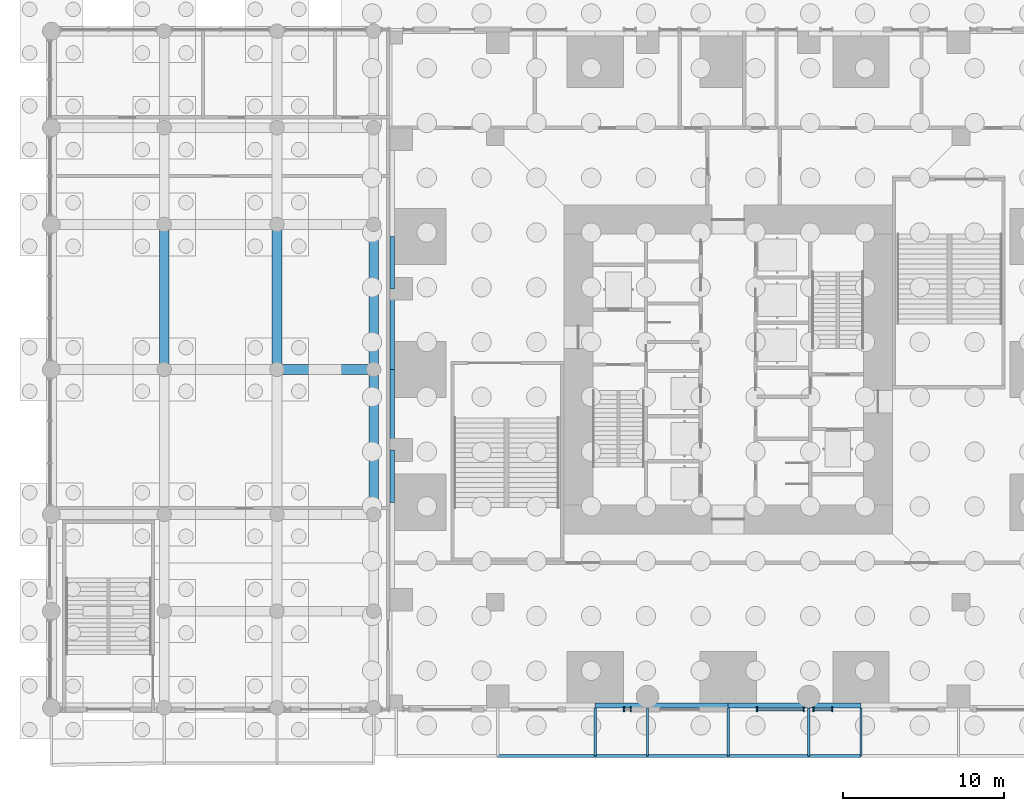
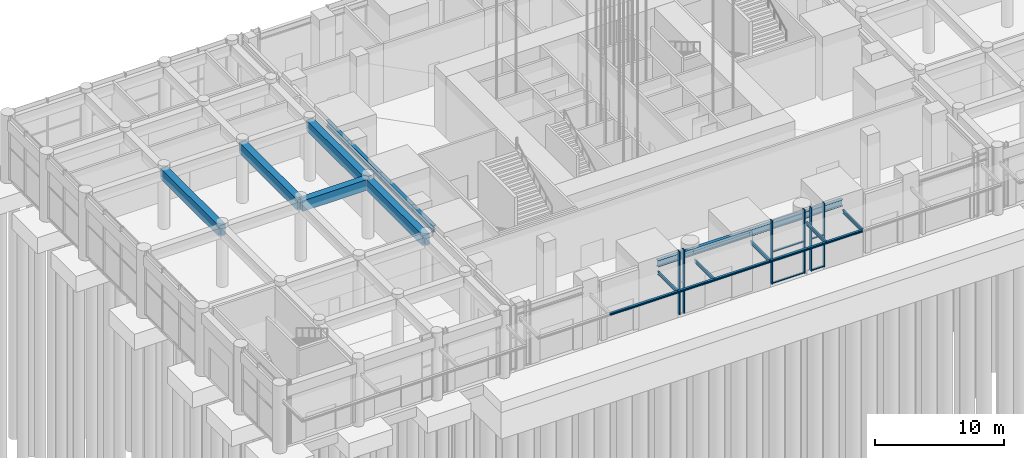
# One storey, part 5 of 46: 23 beams, 10 members, 3 elements without a shape of their own.
"""IFC4 building model written with IfcOpenShell, lengths in metres."""

from ifc_helpers import new_model, si_unit, direction, frame, origin, origin_2d, place, context, subcontext, project, spatial, rectangle, i_section, extrude, material, material_profile, profile_set, type_object, element, aggregate, save


model = new_model("IFC4")

# Units and contexts
model_context = context("Model", 3, precision=1e-05, world=origin(), true_north=direction((0.0, 1.0)))
body_context = subcontext(model_context, "Body", "Model", "MODEL_VIEW")
ifc_project = project(units=[si_unit("LENGTHUNIT", "METRE"), si_unit("AREAUNIT", "SQUARE_METRE"), si_unit("VOLUMEUNIT", "CUBIC_METRE"), si_unit("PLANEANGLEUNIT", "RADIAN"), si_unit("MASSUNIT", "GRAM", prefix="KILO")], contexts=[model_context])

# Site, building, storey
site_placement = place(None, origin())
site = spatial("IfcSite", under=ifc_project, at=site_placement, CompositionType="ELEMENT")
building_placement = place(site_placement, origin())
building = spatial("IfcBuilding", under=site, at=building_placement, Name="Svetlomir Tower", CompositionType="ELEMENT")
storey_placement = place(building_placement, origin())
storey = spatial("IfcBuildingStorey", under=building, at=storey_placement, Name="L00", CompositionType="ELEMENT", Elevation=0.0)

# Beams
ifc_material_1 = material(Name="Steel S355", Category="steel")
ifc_material_profile_1 = material_profile(ifc_material_1, i_section(OverallWidth=0.14990234375, OverallDepth=0.300048828125, WebThickness=0.007080078125, FlangeThickness=0.0107421875, FilletRadius=0.014892578125, at=origin_2d()), Name="IPE 300")
ifc_profile_set_1 = profile_set([ifc_material_profile_1], Name="Steel S355")
beam_type_1 = type_object("IfcBeamType", Name="CANOPY CANTILEVER IPE 300", PredefinedType="BEAM", material=ifc_profile_set_1)
for number, where, z_axis, x_axis, name in (
    (1, (12.75, 0.0, 4.5), (0.0, -1.0, 0.0), (1.0, 0.0, 0.0), "Canopy cantilever 11"),
    (2, (16.0, 0.0, 4.5), (0.0, -1.0, 0.0), (1.0, 0.0, 0.0), "Canopy cantilever 16"),
    (3, (21.0, 0.0, 4.5), (0.0, -1.0, 0.0), (1.0, 0.0, 0.0), "Canopy cantilever 21"),
    (4, (26.0, 0.0, 4.5), (0.0, -1.0, 0.0), (1.0, 0.0, 0.0), "Canopy cantilever 26"),
    (5, (29.25, 0.0, 4.5), (0.0, -1.0, 0.0), (1.0, 0.0, 0.0), "Canopy cantilever 31"),
):
    element("IfcBeam", number, at=place(storey_placement, frame(where, z_axis=z_axis, x_axis=x_axis)), inside=storey, type_object=beam_type_1, Name=name, PredefinedType="BEAM", context=body_context, shape_type="SweptSolid", body=[
        extrude(i_section(OverallWidth=0.14990234375, OverallDepth=0.300048828125, WebThickness=0.007080078125, FlangeThickness=0.0107421875, FilletRadius=0.014892578125, at=origin_2d()), origin(), (0.0, 0.0, 1.0), 3.0),
    ])
ifc_material_2 = material(Name="Steel S355", Category="steel")
ifc_material_profile_2 = material_profile(ifc_material_2, i_section(OverallWidth=0.199951171875, OverallDepth=0.18994140625, WebThickness=0.006591796875, FlangeThickness=0.010009765625, FilletRadius=0.01806640625, at=origin_2d()), Name="HEA 200")
ifc_profile_set_2 = profile_set([ifc_material_profile_2], Name="Steel S355")
beam_type_2 = type_object("IfcBeamType", Name="CANOPY EDGE BEAM HEA 200", PredefinedType="BEAM", material=ifc_profile_set_2)
beam_1_placement = place(storey_placement, frame((6.699951171875, -3.0, 4.5), z_axis=(1.0, 0.0, 0.0), x_axis=(0.0, 1.0, 0.0)))
element("IfcBeam", 6, at=beam_1_placement, inside=storey, type_object=beam_type_2, Name="Canopy edge beam 6.7 to 12.75", PredefinedType="BEAM", context=body_context, shape_type="SweptSolid", body=[
    extrude(i_section(OverallWidth=0.199951171875, OverallDepth=0.18994140625, WebThickness=0.006591796875, FlangeThickness=0.010009765625, FilletRadius=0.01806640625, at=origin_2d()), origin(), (0.0, 0.0, 1.0), 6.050048828125),
])
beam_2_placement = place(storey_placement, frame((12.75, -3.0, 4.5), z_axis=(1.0, 0.0, 0.0), x_axis=(0.0, 1.0, 0.0)))
element("IfcBeam", 7, at=beam_2_placement, inside=storey, type_object=beam_type_2, Name="Canopy edge beam 12.75 to 16", PredefinedType="BEAM", context=body_context, shape_type="SweptSolid", body=[
    extrude(i_section(OverallWidth=0.199951171875, OverallDepth=0.18994140625, WebThickness=0.006591796875, FlangeThickness=0.010009765625, FilletRadius=0.01806640625, at=origin_2d()), origin(), (0.0, 0.0, 1.0), 3.25),
])
for number, where, z_axis, x_axis, name in (
    (8, (16.0, -3.0, 4.5), (1.0, 0.0, 0.0), (0.0, 1.0, 0.0), "Canopy edge beam 16 to 21"),
    (9, (21.0, -3.0, 4.5), (1.0, 0.0, 0.0), (0.0, 1.0, 0.0), "Canopy edge beam 21 to 26"),
):
    element("IfcBeam", number, at=place(storey_placement, frame(where, z_axis=z_axis, x_axis=x_axis)), inside=storey, type_object=beam_type_2, Name=name, PredefinedType="BEAM", context=body_context, shape_type="SweptSolid", body=[
        extrude(i_section(OverallWidth=0.199951171875, OverallDepth=0.18994140625, WebThickness=0.006591796875, FlangeThickness=0.010009765625, FilletRadius=0.01806640625, at=origin_2d()), origin(), (0.0, 0.0, 1.0), 5.0),
    ])
beam_3_placement = place(storey_placement, frame((26.0, -3.0, 4.5), z_axis=(1.0, 0.0, 0.0), x_axis=(0.0, 1.0, 0.0)))
element("IfcBeam", 10, at=beam_3_placement, inside=storey, type_object=beam_type_2, Name="Canopy edge beam 26 to 29.25", PredefinedType="BEAM", context=body_context, shape_type="SweptSolid", body=[
    extrude(i_section(OverallWidth=0.199951171875, OverallDepth=0.18994140625, WebThickness=0.006591796875, FlangeThickness=0.010009765625, FilletRadius=0.01806640625, at=origin_2d()), origin(), (0.0, 0.0, 1.0), 3.25),
])

# Curtain wall, members
ifc_material_3 = material(Name="Bronze anodised aluminium curtain wall", Category="aluminium")
curtain_wall_type = type_object("IfcCurtainWallType", Name="CURTAIN WALL CW5 PODIUM", PredefinedType="NOTDEFINED", material=ifc_material_3)
curtain_wall_1_placement = place(storey_placement, origin())
curtain_wall_1 = element("IfcCurtainWall", 11, at=curtain_wall_1_placement, inside=storey, type_object=curtain_wall_type, Name="Curtain wall CW5 L00", PredefinedType="NOTDEFINED")
ifc_material_4 = material(Name="Bronze anodised aluminium", Category="aluminium")
ifc_material_profile_3 = material_profile(ifc_material_4, rectangle(XDim=0.080078125, YDim=0.300048828125, at=origin_2d()), Name="AL 80x300")
ifc_profile_set_3 = profile_set([ifc_material_profile_3], Name="Bronze anodised aluminium 6063-T6")
member_type_1 = type_object("IfcMemberType", Name="CW5 MULLION 80x300", PredefinedType="MULLION", material=ifc_profile_set_3)
member_1_placement = place(storey_placement, frame((14.5400390625, -0.10009765625, 0.0), z_axis=(0.0, 0.0, 1.0), x_axis=(1.0, 0.0, 0.0)))
member_1 = element("IfcMember", 12, at=member_1_placement, type_object=member_type_1, Name="CW5 mullion 1", PredefinedType="MULLION", context=body_context, shape_type="SweptSolid", body=[
    extrude(rectangle(XDim=0.080078125, YDim=0.300048828125, at=origin_2d()), origin(), (0.0, 0.0, 1.0), 6.0),
])
member_2_placement = place(storey_placement, frame((14.9599609375, -0.10009765625, 0.0), z_axis=(0.0, 0.0, 1.0), x_axis=(1.0, 0.0, 0.0)))
member_2 = element("IfcMember", 13, at=member_2_placement, type_object=member_type_1, Name="CW5 mullion 2", PredefinedType="MULLION", context=body_context, shape_type="SweptSolid", body=[
    extrude(rectangle(XDim=0.080078125, YDim=0.300048828125, at=origin_2d()), origin(), (0.0, 0.0, 1.0), 6.0),
])
aggregate(curtain_wall_1, [member_1, member_2])

curtain_wall_2_placement = place(storey_placement, origin())
curtain_wall_2 = element("IfcCurtainWall", 14, at=curtain_wall_2_placement, inside=storey, type_object=curtain_wall_type, Name="Curtain wall CW5 L00", PredefinedType="NOTDEFINED")
member_3_placement = place(storey_placement, frame((22.7900390625, -0.10009765625, 0.0), z_axis=(0.0, 0.0, 1.0), x_axis=(1.0, 0.0, 0.0)))
member_3 = element("IfcMember", 15, at=member_3_placement, type_object=member_type_1, Name="CW5 mullion 1", PredefinedType="MULLION", context=body_context, shape_type="SweptSolid", body=[
    extrude(rectangle(XDim=0.080078125, YDim=0.300048828125, at=origin_2d()), origin(), (0.0, 0.0, 1.0), 6.0),
])
member_4_placement = place(storey_placement, frame((25.7001953125, -0.10009765625, 0.0), z_axis=(0.0, 0.0, 1.0), x_axis=(1.0, 0.0, 0.0)))
member_4 = element("IfcMember", 16, at=member_4_placement, type_object=member_type_1, Name="CW5 mullion 2", PredefinedType="MULLION", context=body_context, shape_type="SweptSolid", body=[
    extrude(rectangle(XDim=0.080078125, YDim=0.300048828125, at=origin_2d()), origin(), (0.0, 0.0, 1.0), 6.0),
])

curtain_wall_3_placement = place(storey_placement, origin())
curtain_wall_3 = element("IfcCurtainWall", 17, at=curtain_wall_3_placement, inside=storey, type_object=curtain_wall_type, Name="Curtain wall CW5 L00", PredefinedType="NOTDEFINED")
member_5_placement = place(storey_placement, frame((26.2998046875, -0.10009765625, 0.0), z_axis=(0.0, 0.0, 1.0), x_axis=(1.0, 0.0, 0.0)))
member_5 = element("IfcMember", 18, at=member_5_placement, type_object=member_type_1, Name="CW5 mullion 1", PredefinedType="MULLION", context=body_context, shape_type="SweptSolid", body=[
    extrude(rectangle(XDim=0.080078125, YDim=0.300048828125, at=origin_2d()), origin(), (0.0, 0.0, 1.0), 6.0),
])
member_6_placement = place(storey_placement, frame((27.4599609375, -0.10009765625, 0.0), z_axis=(0.0, 0.0, 1.0), x_axis=(1.0, 0.0, 0.0)))
member_6 = element("IfcMember", 19, at=member_6_placement, type_object=member_type_1, Name="CW5 mullion 2", PredefinedType="MULLION", context=body_context, shape_type="SweptSolid", body=[
    extrude(rectangle(XDim=0.080078125, YDim=0.300048828125, at=origin_2d()), origin(), (0.0, 0.0, 1.0), 6.0),
])

# Member
ifc_material_5 = material(Name="Bronze anodised aluminium", Category="aluminium")
ifc_material_profile_4 = material_profile(ifc_material_5, rectangle(XDim=0.179931640625, YDim=0.080078125, at=origin_2d()), Name="AL 180x80")
ifc_profile_set_4 = profile_set([ifc_material_profile_4], Name="Bronze anodised aluminium 6063-T6")
member_type_2 = type_object("IfcMemberType", Name="CW5 TRANSOM 80x180", PredefinedType="USERDEFINED", material=ifc_profile_set_4)
member_7_placement = place(storey_placement, frame((22.830078125, -0.10009765625, 0.0400390625), z_axis=(1.0, 0.0, 0.0), x_axis=(0.0, 1.0, 0.0)))
member_7 = element("IfcMember", 20, at=member_7_placement, type_object=member_type_2, Name="CW5 transom 1.1", ObjectType="TRANSOM", PredefinedType="USERDEFINED", context=body_context, shape_type="SweptSolid", body=[
    extrude(rectangle(XDim=0.179931640625, YDim=0.080078125, at=origin_2d()), origin(), (0.0, 0.0, 1.0), 2.830078125),
])

member_8_placement = place(storey_placement, frame((22.830078125, -0.10009765625, 3.0), z_axis=(1.0, 0.0, 0.0), x_axis=(0.0, 1.0, 0.0)))
member_8 = element("IfcMember", 21, at=member_8_placement, type_object=member_type_2, Name="CW5 transom 1.2", ObjectType="TRANSOM", PredefinedType="USERDEFINED", context=body_context, shape_type="SweptSolid", body=[
    extrude(rectangle(XDim=0.179931640625, YDim=0.080078125, at=origin_2d()), origin(), (0.0, 0.0, 1.0), 2.830078125),
])

aggregate(curtain_wall_2, [member_3, member_4, member_7, member_8])

member_9_placement = place(storey_placement, frame((26.33984375, -0.10009765625, 0.0400390625), z_axis=(1.0, 0.0, 0.0), x_axis=(0.0, 1.0, 0.0)))
member_9 = element("IfcMember", 22, at=member_9_placement, type_object=member_type_2, Name="CW5 transom 1.1", ObjectType="TRANSOM", PredefinedType="USERDEFINED", context=body_context, shape_type="SweptSolid", body=[
    extrude(rectangle(XDim=0.179931640625, YDim=0.080078125, at=origin_2d()), origin(), (0.0, 0.0, 1.0), 1.080078125),
])

member_10_placement = place(storey_placement, frame((26.33984375, -0.10009765625, 3.0), z_axis=(1.0, 0.0, 0.0), x_axis=(0.0, 1.0, 0.0)))
member_10 = element("IfcMember", 23, at=member_10_placement, type_object=member_type_2, Name="CW5 transom 1.2", ObjectType="TRANSOM", PredefinedType="USERDEFINED", context=body_context, shape_type="SweptSolid", body=[
    extrude(rectangle(XDim=0.179931640625, YDim=0.080078125, at=origin_2d()), origin(), (0.0, 0.0, 1.0), 1.080078125),
])

aggregate(curtain_wall_3, [member_5, member_6, member_9, member_10])

# Beams
ifc_material_6 = material(Name="Concrete C60/75", Category="concrete")
ifc_material_profile_5 = material_profile(ifc_material_6, rectangle(XDim=0.60009765625, YDim=1.0, at=origin_2d()), Name="RC 600x1000")
ifc_profile_set_5 = profile_set([ifc_material_profile_5], Name="Concrete C60/75")
beam_type_3 = type_object("IfcBeamType", Name="PODIUM BEAM RC 600x1000", PredefinedType="BEAM", material=ifc_profile_set_5)
for number, where, z_axis, x_axis, name in (
    (24, (-14.0, 21.0, 5.10009765625), (0.0, 1.0, 0.0), (-1.0, 0.0, 0.0), "Podium beam -14/21 to -14/30 under L01"),
    (25, (-7.0, 21.0, 5.10009765625), (0.0, 1.0, 0.0), (-1.0, 0.0, 0.0), "Podium beam -7/21 to -7/30 under L01"),
):
    element("IfcBeam", number, at=place(storey_placement, frame(where, z_axis=z_axis, x_axis=x_axis)), inside=storey, type_object=beam_type_3, Name=name, PredefinedType="BEAM", context=body_context, shape_type="SweptSolid", body=[
        extrude(rectangle(XDim=0.60009765625, YDim=1.0, at=origin_2d()), origin(), (0.0, 0.0, 1.0), 9.0),
    ])
beam_4_placement = place(storey_placement, frame((-7.0, 21.0, 5.10009765625), z_axis=(1.0, 0.0, 0.0), x_axis=(0.0, 1.0, 0.0)))
element("IfcBeam", 26, at=beam_4_placement, inside=storey, type_object=beam_type_3, Name="Podium beam -7/21 to -1/21 under L01", PredefinedType="BEAM", context=body_context, shape_type="SweptSolid", body=[
    extrude(rectangle(XDim=0.60009765625, YDim=1.0, at=origin_2d()), origin(), (0.0, 0.0, 1.0), 6.0),
])
for number, where, z_axis, x_axis, name in (
    (27, (-1.0, 12.0, 5.10009765625), (0.0, 1.0, 0.0), (-1.0, 0.0, 0.0), "Podium beam -1/12 to -1/21 under L01"),
    (28, (-1.0, 21.0, 5.10009765625), (0.0, 1.0, 0.0), (-1.0, 0.0, 0.0), "Podium beam -1/21 to -1/30 under L01"),
):
    element("IfcBeam", number, at=place(storey_placement, frame(where, z_axis=z_axis, x_axis=x_axis)), inside=storey, type_object=beam_type_3, Name=name, PredefinedType="BEAM", context=body_context, shape_type="SweptSolid", body=[
        extrude(rectangle(XDim=0.60009765625, YDim=1.0, at=origin_2d()), origin(), (0.0, 0.0, 1.0), 9.0),
    ])
ifc_material_7 = material(Name="Steel S355", Category="steel")
ifc_material_profile_6 = material_profile(ifc_material_7, i_section(OverallWidth=0.304931640625, OverallDepth=0.6201171875, WebThickness=0.02099609375, FlangeThickness=0.0400390625, FilletRadius=0.027099609375, at=origin_2d()), Name="HEM 600")
ifc_profile_set_6 = profile_set([ifc_material_profile_6], Name="Steel S355")
beam_type_4 = type_object("IfcBeamType", Name="PODIUM EDGE BEAM HEM 600", PredefinedType="BEAM", material=ifc_profile_set_6)
beam_5_placement = place(storey_placement, frame((0.152587890625, 12.75, 5.2900390625), z_axis=(0.0, 1.0, 0.0), x_axis=(-1.0, 0.0, 0.0)))
element("IfcBeam", 29, at=beam_5_placement, inside=storey, type_object=beam_type_4, Name="Podium beam 0/11 to 0/16 under L01", PredefinedType="BEAM", context=body_context, shape_type="SweptSolid", body=[
    extrude(i_section(OverallWidth=0.304931640625, OverallDepth=0.6201171875, WebThickness=0.02099609375, FlangeThickness=0.0400390625, FilletRadius=0.027099609375, at=origin_2d()), origin(), (0.0, 0.0, 1.0), 3.25),
])
for number, where, z_axis, x_axis, name in (
    (30, (0.152587890625, 16.0, 5.2900390625), (0.0, 1.0, 0.0), (-1.0, 0.0, 0.0), "Podium beam 0/16 to 0/21 under L01"),
    (31, (0.152587890625, 21.0, 5.2900390625), (0.0, 1.0, 0.0), (-1.0, 0.0, 0.0), "Podium beam 0/21 to 0/26 under L01"),
):
    element("IfcBeam", number, at=place(storey_placement, frame(where, z_axis=z_axis, x_axis=x_axis)), inside=storey, type_object=beam_type_4, Name=name, PredefinedType="BEAM", context=body_context, shape_type="SweptSolid", body=[
        extrude(i_section(OverallWidth=0.304931640625, OverallDepth=0.6201171875, WebThickness=0.02099609375, FlangeThickness=0.0400390625, FilletRadius=0.027099609375, at=origin_2d()), origin(), (0.0, 0.0, 1.0), 5.0),
    ])
for number, where, z_axis, x_axis, name in (
    (32, (0.152587890625, 26.0, 5.2900390625), (0.0, 1.0, 0.0), (-1.0, 0.0, 0.0), "Podium beam 0/26 to 0/31 under L01"),
    (33, (12.75, 0.152587890625, 5.2900390625), (1.0, 0.0, 0.0), (0.0, 1.0, 0.0), "Podium beam 11/0 to 16/0 under L01"),
):
    element("IfcBeam", number, at=place(storey_placement, frame(where, z_axis=z_axis, x_axis=x_axis)), inside=storey, type_object=beam_type_4, Name=name, PredefinedType="BEAM", context=body_context, shape_type="SweptSolid", body=[
        extrude(i_section(OverallWidth=0.304931640625, OverallDepth=0.6201171875, WebThickness=0.02099609375, FlangeThickness=0.0400390625, FilletRadius=0.027099609375, at=origin_2d()), origin(), (0.0, 0.0, 1.0), 3.25),
    ])
for number, where, z_axis, x_axis, name in (
    (34, (16.0, 0.152587890625, 5.2900390625), (1.0, 0.0, 0.0), (0.0, 1.0, 0.0), "Podium beam 16/0 to 21/0 under L01"),
    (35, (21.0, 0.152587890625, 5.2900390625), (1.0, 0.0, 0.0), (0.0, 1.0, 0.0), "Podium beam 21/0 to 26/0 under L01"),
):
    element("IfcBeam", number, at=place(storey_placement, frame(where, z_axis=z_axis, x_axis=x_axis)), inside=storey, type_object=beam_type_4, Name=name, PredefinedType="BEAM", context=body_context, shape_type="SweptSolid", body=[
        extrude(i_section(OverallWidth=0.304931640625, OverallDepth=0.6201171875, WebThickness=0.02099609375, FlangeThickness=0.0400390625, FilletRadius=0.027099609375, at=origin_2d()), origin(), (0.0, 0.0, 1.0), 5.0),
    ])
beam_6_placement = place(storey_placement, frame((26.0, 0.152587890625, 5.2900390625), z_axis=(1.0, 0.0, 0.0), x_axis=(0.0, 1.0, 0.0)))
element("IfcBeam", 36, at=beam_6_placement, inside=storey, type_object=beam_type_4, Name="Podium beam 26/0 to 31/0 under L01", PredefinedType="BEAM", context=body_context, shape_type="SweptSolid", body=[
    extrude(i_section(OverallWidth=0.304931640625, OverallDepth=0.6201171875, WebThickness=0.02099609375, FlangeThickness=0.0400390625, FilletRadius=0.027099609375, at=origin_2d()), origin(), (0.0, 0.0, 1.0), 3.25),
])

save(model, "model.ifc")
